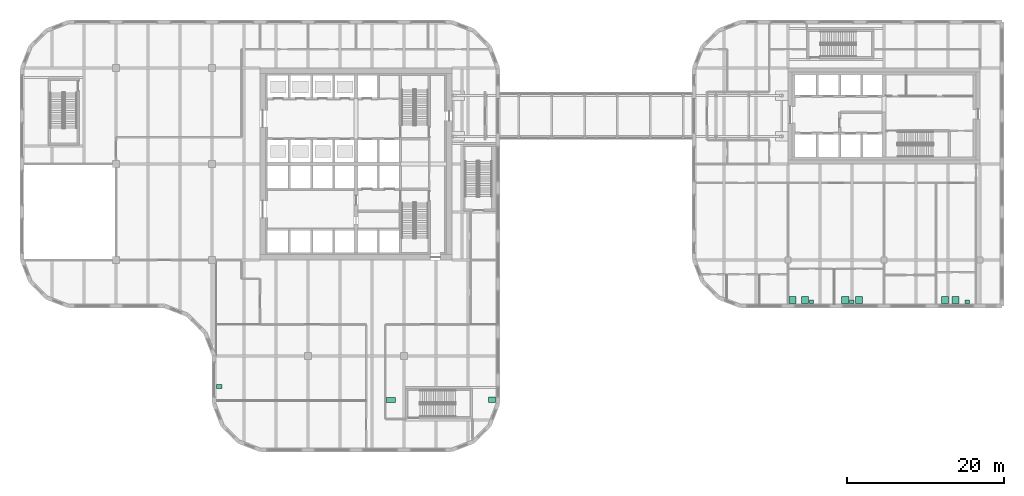
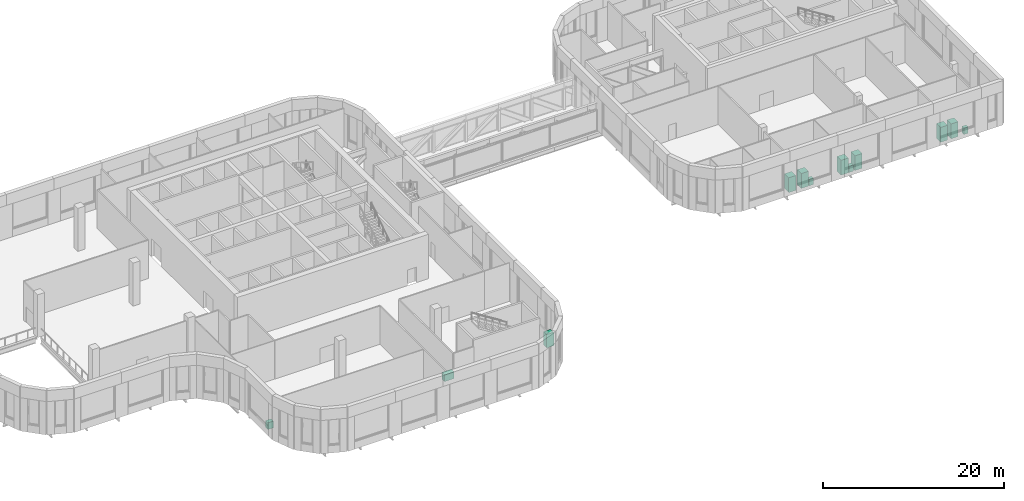
# One storey, part 35 of 36: 11 sanitary terminals, 1 electric appliance.
"""IFC4 building model written with IfcOpenShell, lengths in metres."""

from ifc_helpers import new_model, si_unit, direction, frame, origin, origin_2d, place, context, subcontext, project, spatial, rectangle, extrude, material, type_object, element, save


model = new_model("IFC4")

# Units and contexts
model_context = context("Model", 3, precision=1e-05, world=origin(), true_north=direction((0.0, 1.0)))
body_context = subcontext(model_context, "Body", "Model", "MODEL_VIEW")
ifc_project = project(units=[si_unit("LENGTHUNIT", "METRE"), si_unit("AREAUNIT", "SQUARE_METRE"), si_unit("VOLUMEUNIT", "CUBIC_METRE"), si_unit("PLANEANGLEUNIT", "RADIAN"), si_unit("MASSUNIT", "GRAM", prefix="KILO")], contexts=[model_context])

# Site, building, storey
site_placement = place(None, origin())
site = spatial("IfcSite", under=ifc_project, at=site_placement, CompositionType="ELEMENT")
building_placement = place(site_placement, origin())
building = spatial("IfcBuilding", under=site, at=building_placement, Name="Tessera Gate Towers", CompositionType="ELEMENT")
storey_placement = place(building_placement, frame((0.0, 0.0, 106.60009765625)))
storey = spatial("IfcBuildingStorey", under=building, at=storey_placement, Name="L26", CompositionType="ELEMENT", Elevation=106.60009765625)

# Sanitary terminals
ifc_material_1 = material(Name="Vitreous china")
sanitary_terminal_type_1 = type_object("IfcSanitaryTerminalType", Name="BASIN 550x450", PredefinedType="WASHHANDBASIN", material=ifc_material_1)
for number, where, z_axis, x_axis, name in (
    (1, (100.583984375, 19.074951171875, -0.000244140625), (0.0, 0.0, 1.0), (1.0, 0.0, 0.0), "Basin"),
    (2, (105.7041015625, 19.074951171875, -0.000244140625), (0.0, 0.0, 1.0), (1.0, 0.0, 0.0), "Basin"),
    (3, (120.37109375, 19.074951171875, -0.000244140625), (0.0, 0.0, 1.0), (1.0, 0.0, 0.0), "Basin"),
):
    element("IfcSanitaryTerminal", number, at=place(storey_placement, frame(where, z_axis=z_axis, x_axis=x_axis)), inside=storey, type_object=sanitary_terminal_type_1, Name=name, PredefinedType="WASHHANDBASIN", context=body_context, shape_type="SweptSolid", body=[
        extrude(rectangle(XDim=0.550048828125, YDim=0.449951171875, at=origin_2d()), origin(), (0.0, 0.0, 1.0), 0.85009765625),
    ])
ifc_material_2 = material(Name="Vitreous china")
sanitary_terminal_type_2 = type_object("IfcSanitaryTerminalType", Name="KITCHEN SINK 1200x600", PredefinedType="SINK", material=ifc_material_2)
sanitary_terminal_1_placement = place(storey_placement, frame((47.125, 6.60595703125, 0.0), z_axis=(0.0, 0.0, 1.0), x_axis=(1.0, 0.0, 0.0)))
element("IfcSanitaryTerminal", 4, at=sanitary_terminal_1_placement, inside=storey, type_object=sanitary_terminal_type_2, Name="Kitchen sink", PredefinedType="SINK", context=body_context, shape_type="SweptSolid", body=[
    extrude(rectangle(XDim=1.199951171875, YDim=0.60009765625, at=origin_2d()), origin(), (0.0, 0.0, 1.0), 0.89990234375),
])

# Electric appliance
ifc_material_3 = material(Name="Enamelled steel", Category="steel")
electric_appliance_type = type_object("IfcElectricApplianceType", Name="REFRIGERATOR 900x700", PredefinedType="FRIDGE_FREEZER", material=ifc_material_3)
electric_appliance_placement = place(storey_placement, frame((60.0, 6.623046875, 0.0), z_axis=(0.0, 0.0, 1.0), x_axis=(1.0, 0.0, 0.0)))
element("IfcElectricAppliance", 5, at=electric_appliance_placement, inside=storey, type_object=electric_appliance_type, Name="Refrigerator", PredefinedType="FRIDGE_FREEZER", context=body_context, shape_type="SweptSolid", body=[
    extrude(rectangle(XDim=0.89990234375, YDim=0.699951171875, at=origin_2d()), origin(), (0.0, 0.0, 1.0), 1.800048828125),
])

# Sanitary terminals
ifc_material_4 = material(Name="Vitreous china")
sanitary_terminal_type_3 = type_object("IfcSanitaryTerminalType", Name="SHOWER 900x900", PredefinedType="SHOWER", material=ifc_material_4)
for number, where, z_axis, x_axis, name in (
    (6, (98.175048828125, 19.300048828125, 0.0), (0.0, 0.0, 1.0), (1.0, 0.0, 0.0), "Shower"),
    (7, (99.781005859375, 19.300048828125, 0.0), (0.0, 0.0, 1.0), (1.0, 0.0, 0.0), "Shower"),
    (8, (104.8779296875, 19.300048828125, 0.0), (0.0, 0.0, 1.0), (1.0, 0.0, 0.0), "Shower"),
    (9, (106.64697265625, 19.300048828125, 0.0), (0.0, 0.0, 1.0), (1.0, 0.0, 0.0), "Shower"),
    (10, (117.571044921875, 19.300048828125, 0.0), (0.0, 0.0, 1.0), (1.0, 0.0, 0.0), "Shower"),
    (11, (118.912109375, 19.300048828125, 0.0), (0.0, 0.0, 1.0), (1.0, 0.0, 0.0), "Shower"),
):
    element("IfcSanitaryTerminal", number, at=place(storey_placement, frame(where, z_axis=z_axis, x_axis=x_axis)), inside=storey, type_object=sanitary_terminal_type_3, Name=name, PredefinedType="SHOWER", context=body_context, shape_type="SweptSolid", body=[
        extrude(rectangle(XDim=0.89990234375, YDim=0.89990234375, at=origin_2d()), origin(), (0.0, 0.0, 1.0), 2.0),
    ])
ifc_material_5 = material(Name="Vitreous china")
sanitary_terminal_type_4 = type_object("IfcSanitaryTerminalType", Name="SINK 700x550", PredefinedType="SINK", material=ifc_material_5)
sanitary_terminal_2_placement = place(storey_placement, frame((25.300048828125, 8.3330078125, 0.0), z_axis=(0.0, 0.0, 1.0), x_axis=(1.0, 0.0, 0.0)))
element("IfcSanitaryTerminal", 12, at=sanitary_terminal_2_placement, inside=storey, type_object=sanitary_terminal_type_4, Name="Sink", PredefinedType="SINK", context=body_context, shape_type="SweptSolid", body=[
    extrude(rectangle(XDim=0.699951171875, YDim=0.550048828125, at=origin_2d()), origin(), (0.0, 0.0, 1.0), 0.89990234375),
])

save(model, "model.ifc")
